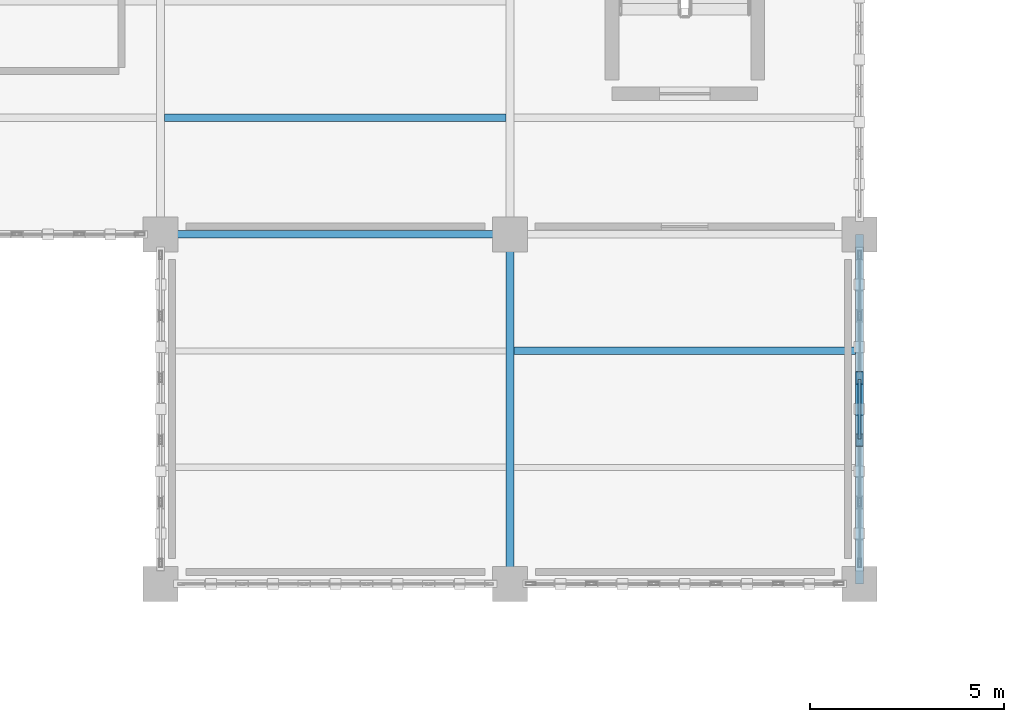
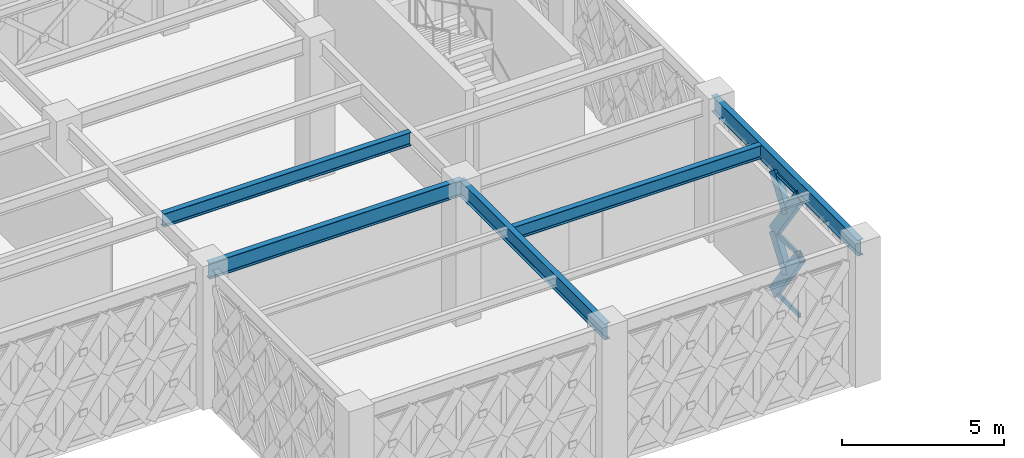
# One storey, part 16 of 155: 7 members, 5 beams, 1 element without a shape of its own.
"""IFC4 building model written with IfcOpenShell, lengths in metres."""

from ifc_helpers import new_model, si_unit, direction, frame, origin, origin_2d, place, context, subcontext, project, spatial, hollow_rectangle, i_section, extrude, material, material_profile, profile_set, type_object, element, aggregate, save


model = new_model("IFC4")

# Units and contexts
model_context = context("Model", 3, precision=1e-05, world=origin(), true_north=direction((0.0, 1.0)))
body_context = subcontext(model_context, "Body", "Model", "MODEL_VIEW")
ifc_project = project(units=[si_unit("LENGTHUNIT", "METRE"), si_unit("AREAUNIT", "SQUARE_METRE"), si_unit("VOLUMEUNIT", "CUBIC_METRE"), si_unit("PLANEANGLEUNIT", "RADIAN"), si_unit("MASSUNIT", "GRAM", prefix="KILO")], contexts=[model_context])

# Site, building, storey
site_placement = place(None, origin())
site = spatial("IfcSite", under=ifc_project, at=site_placement, CompositionType="ELEMENT")
building_placement = place(site_placement, origin())
building = spatial("IfcBuilding", under=site, at=building_placement, Name="Haizhuo Lancet Aquarium", CompositionType="ELEMENT")
storey_placement = place(building_placement, frame((0.0, 0.0, 10.800048828125)))
storey = spatial("IfcBuildingStorey", under=building, at=storey_placement, Name="L02", CompositionType="ELEMENT", Elevation=10.800048828125)

# Beams
ifc_material_1 = material(Name="Steel S355", Category="steel")
ifc_material_profile_1 = material_profile(ifc_material_1, i_section(OverallWidth=0.199951171875, OverallDepth=0.60009765625, WebThickness=0.010986328125, FlangeThickness=0.01708984375, FilletRadius=0.02197265625, at=origin_2d()), Name="HN 600x200x11x17")
ifc_profile_set_1 = profile_set([ifc_material_profile_1], Name="Steel S355")
beam_type_1 = type_object("IfcBeamType", Name="BM-ST-HN600", PredefinedType="BEAM", material=ifc_profile_set_1)
for number, where, z_axis, x_axis, name in (
    (1, (-54.0, -27.0, 4.85986328125), (1.0, 0.0, 0.0), (0.0, 1.0, 0.0), "L02 V6 primary girder BM-L02-V6-017"),
    (2, (-45.0, -36.0, 4.85986328125), (0.0, 1.0, 0.0), (-1.0, 0.0, 0.0), "L02 V6 primary girder BM-L02-V6-021"),
    (3, (-36.0, -36.0, 4.85986328125), (0.0, 1.0, 0.0), (-1.0, 0.0, 0.0), "L02 V6 primary girder BM-L02-V6-027"),
):
    element("IfcBeam", number, at=place(storey_placement, frame(where, z_axis=z_axis, x_axis=x_axis)), inside=storey, type_object=beam_type_1, Name=name, PredefinedType="BEAM", context=body_context, shape_type="SweptSolid", body=[
        extrude(i_section(OverallWidth=0.199951171875, OverallDepth=0.60009765625, WebThickness=0.010986328125, FlangeThickness=0.01708984375, FilletRadius=0.02197265625, at=origin_2d()), origin(), (0.0, 0.0, 1.0), 9.0),
    ])

# Curtain wall, members
ifc_material_2 = material(Name="Aluminium 6063-T6", Category="aluminium")
curtain_wall_type = type_object("IfcCurtainWallType", Name="CWD-8010x4560", PredefinedType="NOTDEFINED", material=ifc_material_2)
curtain_wall_placement = place(storey_placement, origin())
curtain_wall = element("IfcCurtainWall", 4, at=curtain_wall_placement, inside=storey, type_object=curtain_wall_type, Name="L02 curtain wall CW-V6-L02-221", PredefinedType="NOTDEFINED")
ifc_material_profile_2 = material_profile(ifc_material_2, hollow_rectangle(XDim=0.074951171875, YDim=0.159912109375, WallThickness=0.00390625, at=origin_2d()), Name="ALU-T 75x160x4")
ifc_profile_set_2 = profile_set([ifc_material_profile_2], Name="Aluminium 6063-T6")
member_type_1 = type_object("IfcMemberType", Name="CW-TRN-2", PredefinedType="NOTDEFINED", material=ifc_profile_set_2)
member_1_placement = place(storey_placement, frame((-36.0, -30.737060546875, 0.037841796875), z_axis=(0.0, -1.0, 0.0), x_axis=(1.0, 0.0, 0.0)))
member_1 = element("IfcMember", 5, at=member_1_placement, type_object=member_type_1, Name="CWD-80x45 transom 3.1", ObjectType="TRANSOM", PredefinedType="USERDEFINED", context=body_context, shape_type="SweptSolid", body=[
    extrude(hollow_rectangle(XDim=0.074951171875, YDim=0.159912109375, WallThickness=0.00390625, at=origin_2d()), origin(), (0.0, 0.0, 1.0), 1.52685546875),
])
member_2_placement = place(storey_placement, frame((-36.0, -30.737060546875, 2.280029296875), z_axis=(0.0, -1.0, 0.0), x_axis=(1.0, 0.0, 0.0)))
member_2 = element("IfcMember", 6, at=member_2_placement, type_object=member_type_1, Name="CWD-80x45 transom 3.2", ObjectType="TRANSOM", PredefinedType="USERDEFINED", context=body_context, shape_type="SweptSolid", body=[
    extrude(hollow_rectangle(XDim=0.074951171875, YDim=0.159912109375, WallThickness=0.00390625, at=origin_2d()), origin(), (0.0, 0.0, 1.0), 1.52685546875),
])
member_3_placement = place(storey_placement, frame((-36.0, -30.737060546875, 4.52197265625), z_axis=(0.0, -1.0, 0.0), x_axis=(1.0, 0.0, 0.0)))
member_3 = element("IfcMember", 7, at=member_3_placement, type_object=member_type_1, Name="CWD-80x45 transom 3.3", ObjectType="TRANSOM", PredefinedType="USERDEFINED", context=body_context, shape_type="SweptSolid", body=[
    extrude(hollow_rectangle(XDim=0.074951171875, YDim=0.159912109375, WallThickness=0.00390625, at=origin_2d()), origin(), (0.0, 0.0, 1.0), 1.52685546875),
])
aggregate(curtain_wall, [member_1, member_2, member_3])

# Beams
ifc_material_profile_3 = material_profile(ifc_material_1, i_section(OverallWidth=0.199951171875, OverallDepth=0.5, WebThickness=0.010009765625, FlangeThickness=0.01611328125, FilletRadius=0.02001953125, at=origin_2d()), Name="HN 500x200x10x16")
ifc_profile_set_3 = profile_set([ifc_material_profile_3], Name="Steel S355")
beam_type_2 = type_object("IfcBeamType", Name="JST-ST-HN500", PredefinedType="JOIST", material=ifc_profile_set_3)
for number, where, z_axis, x_axis, name in (
    (8, (-53.89990234375, -24.0, 4.909912109375), (1.0, 0.0, 0.0), (0.0, 1.0, 0.0), "L02 V6 secondary floor joist 12"),
    (9, (-44.89990234375, -30.0, 4.909912109375), (1.0, 0.0, 0.0), (0.0, 1.0, 0.0), "L02 V6 secondary floor joist 17"),
):
    element("IfcBeam", number, at=place(storey_placement, frame(where, z_axis=z_axis, x_axis=x_axis)), inside=storey, type_object=beam_type_2, Name=name, PredefinedType="JOIST", context=body_context, shape_type="SweptSolid", body=[
        extrude(i_section(OverallWidth=0.199951171875, OverallDepth=0.5, WebThickness=0.010009765625, FlangeThickness=0.01611328125, FilletRadius=0.02001953125, at=origin_2d()), origin(), (0.0, 0.0, 1.0), 8.7998046875),
    ])

# Members
ifc_material_profile_4 = material_profile(ifc_material_1, hollow_rectangle(XDim=0.199951171875, YDim=0.39990234375, WallThickness=0.011962890625, at=origin_2d()), Name="RHS 200x400x12")
ifc_profile_set_4 = profile_set([ifc_material_profile_4], Name="Steel S355")
member_type_2 = type_object("IfcMemberType", Name="MEM-LB-RHS200x400", PredefinedType="BRACE", material=ifc_profile_set_4)
member_4_placement = place(storey_placement, frame((-36.0, -30.698974609375, 0.0), z_axis=(0.0, -0.574913812948, 0.818213974264), x_axis=(1.0, 0.0, 0.0)))
element("IfcMember", 10, at=member_4_placement, inside=storey, type_object=member_type_2, Name="Gothic lancet continuous diagonal brace CW-V6-L02-221 5A", PredefinedType="BRACE", context=body_context, shape_type="SweptSolid", body=[
    extrude(hollow_rectangle(XDim=0.199951171875, YDim=0.39990234375, WallThickness=0.011962890625, at=origin_2d()), origin(), (0.0, 0.0, 1.0), 2.78662109375),
])
member_5_placement = place(storey_placement, frame((-36.0, -31.5, 1.139892578125), z_axis=(0.0, 0.574872601991, 0.81824292938), x_axis=(-1.0, 0.0, 0.0)))
element("IfcMember", 11, at=member_5_placement, inside=storey, type_object=member_type_2, Name="Gothic lancet split diagonal brace CW-V6-L02-221 5B2", PredefinedType="BRACE", context=body_context, shape_type="SweptSolid", body=[
    extrude(hollow_rectangle(XDim=0.199951171875, YDim=0.39990234375, WallThickness=0.011962890625, at=origin_2d()), origin(), (0.0, 0.0, 1.0), 1.393310546875),
])
member_6_placement = place(storey_placement, frame((-36.0, -30.698974609375, 2.280029296875), z_axis=(0.0, -0.574913812948, 0.818213974264), x_axis=(1.0, 0.0, 0.0)))
element("IfcMember", 12, at=member_6_placement, inside=storey, type_object=member_type_2, Name="Gothic lancet continuous diagonal brace CW-V6-L02-221 6A", PredefinedType="BRACE", context=body_context, shape_type="SweptSolid", body=[
    extrude(hollow_rectangle(XDim=0.199951171875, YDim=0.39990234375, WallThickness=0.011962890625, at=origin_2d()), origin(), (0.0, 0.0, 1.0), 2.78662109375),
])
member_7_placement = place(storey_placement, frame((-36.0, -31.5, 3.419921875), z_axis=(0.0, 0.574872601991, 0.81824292938), x_axis=(-1.0, 0.0, 0.0)))
element("IfcMember", 13, at=member_7_placement, inside=storey, type_object=member_type_2, Name="Gothic lancet split diagonal brace CW-V6-L02-221 6B2", PredefinedType="BRACE", context=body_context, shape_type="SweptSolid", body=[
    extrude(hollow_rectangle(XDim=0.199951171875, YDim=0.39990234375, WallThickness=0.011962890625, at=origin_2d()), origin(), (0.0, 0.0, 1.0), 1.393310546875),
])

save(model, "model.ifc")
